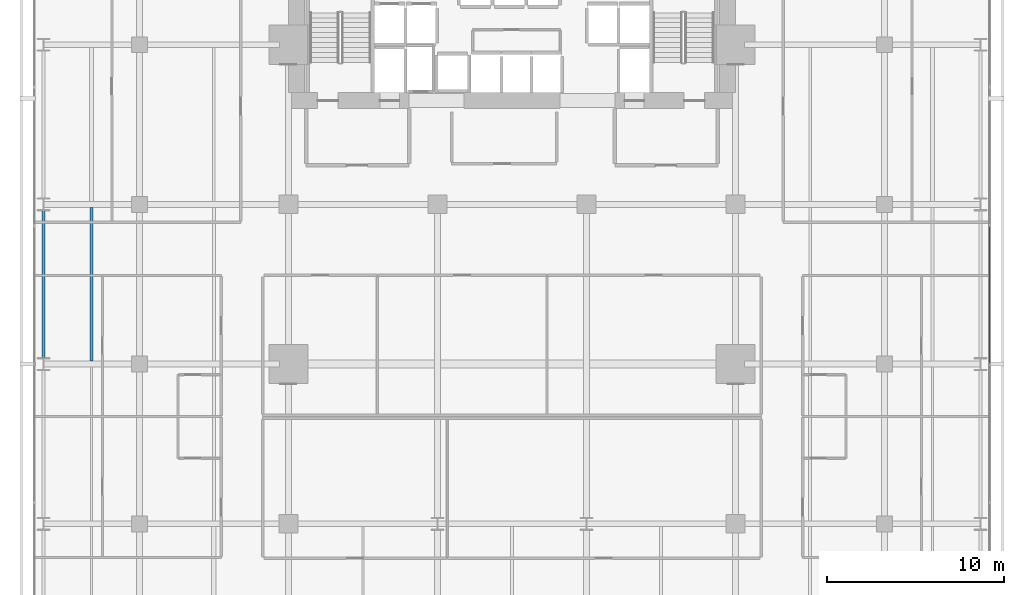
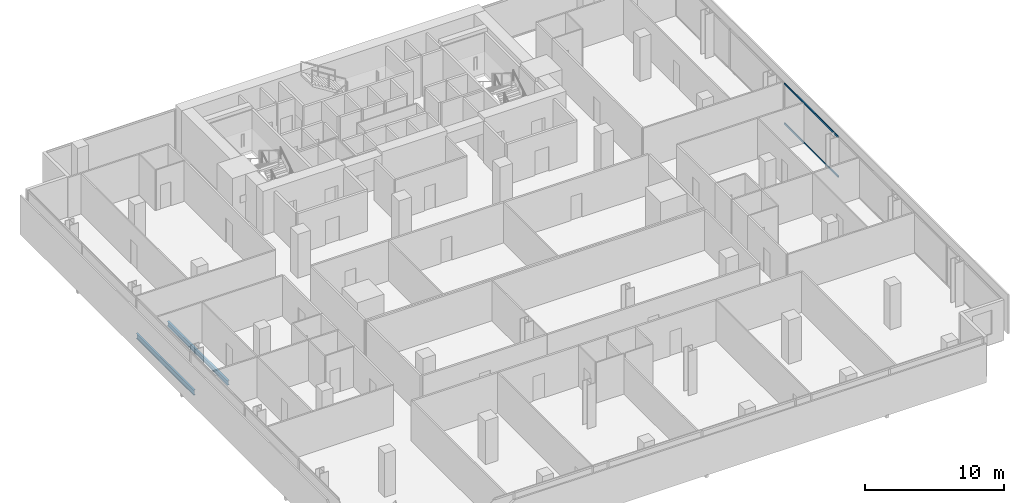
# One storey, part 20 of 39: 2 beams, 2 members, 1 element without a shape of its own.
"""IFC4 building model written with IfcOpenShell, lengths in metres."""

from ifc_helpers import new_model, si_unit, direction, frame, origin, origin_2d, place, context, subcontext, project, spatial, hollow_rectangle, i_section, extrude, material, layer, layer_set, material_profile, profile_set, type_object, element, aggregate, save


model = new_model("IFC4")

# Units and contexts
model_context = context("Model", 3, precision=1e-05, world=origin(), true_north=direction((0.0, 1.0)))
body_context = subcontext(model_context, "Body", "Model", "MODEL_VIEW")
ifc_project = project(units=[si_unit("LENGTHUNIT", "METRE"), si_unit("AREAUNIT", "SQUARE_METRE"), si_unit("VOLUMEUNIT", "CUBIC_METRE"), si_unit("PLANEANGLEUNIT", "RADIAN"), si_unit("MASSUNIT", "GRAM", prefix="KILO")], contexts=[model_context])

# Site, building, storey
site_placement = place(None, origin())
site = spatial("IfcSite", under=ifc_project, at=site_placement, CompositionType="ELEMENT")
building_placement = place(site_placement, origin())
building = spatial("IfcBuilding", under=site, at=building_placement, Name="Maruvema Waterfront Hotel and Observation Tower", CompositionType="ELEMENT")
storey_placement = place(building_placement, frame((0.0, 0.0, 111.64990234375)))
storey = spatial("IfcBuildingStorey", under=building, at=storey_placement, Name="L27", CompositionType="ELEMENT", Elevation=111.64990234375)

# Curtain wall, members
ifc_material_1 = material(Name="Anodised bronze aluminium and solar-control low-E IGU", Category="aluminium")
ifc_layer = layer(ifc_material_1, 0.159912109375, Name="Zone 1 Bronze Inner Thermal Curtain Wall System CW-02")
ifc_layer_set = layer_set([ifc_layer], Name="Anodised bronze aluminium and solar-control low-E IGU")
curtain_wall_type = type_object("IfcCurtainWallType", Name="Zone 1 Bronze Inner Thermal Curtain Wall System CW-02", PredefinedType="USERDEFINED", material=ifc_layer_set)
curtain_wall_placement = place(storey_placement, origin())
curtain_wall = element("IfcCurtainWall", 1, at=curtain_wall_placement, inside=storey, type_object=curtain_wall_type, Name="L27 Curtain Wall CW-L27-E", ObjectType="UNITISED CURTAIN WALL", PredefinedType="USERDEFINED")
ifc_material_2 = material(Name="Anodised architectural bronze aluminium", Category="aluminium")
ifc_material_profile_1 = material_profile(ifc_material_2, hollow_rectangle(XDim=0.070068359375, YDim=0.14990234375, WallThickness=0.00390625, at=origin_2d()), Name="ALU-T70x150")
ifc_profile_set_1 = profile_set([ifc_material_profile_1], Name="Anodised architectural bronze aluminium")
member_type = type_object("IfcMemberType", Name="Curtain Wall Horizontal Transom ALU-T70x150", PredefinedType="USERDEFINED", material=ifc_profile_set_1)
member_1_placement = place(storey_placement, frame((64.719970703125, 27.030029296875, 0.030029296875), z_axis=(0.0, 1.0, 0.0), x_axis=(-1.0, 0.0, 0.0)))
member_1 = element("IfcMember", 2, at=member_1_placement, type_object=member_type, Name="CW-02 transom 4.1", ObjectType="TRANSOM", PredefinedType="USERDEFINED", context=body_context, shape_type="SweptSolid", body=[
    extrude(hollow_rectangle(XDim=0.070068359375, YDim=0.14990234375, WallThickness=0.00390625, at=origin_2d()), origin(), (0.0, 0.0, 1.0), 7.739990234375),
])
member_2_placement = place(storey_placement, frame((64.719970703125, 27.030029296875, 3.52001953125), z_axis=(0.0, 1.0, 0.0), x_axis=(-1.0, 0.0, 0.0)))
member_2 = element("IfcMember", 3, at=member_2_placement, type_object=member_type, Name="CW-02 transom 4.2", ObjectType="TRANSOM", PredefinedType="USERDEFINED", context=body_context, shape_type="SweptSolid", body=[
    extrude(hollow_rectangle(XDim=0.070068359375, YDim=0.14990234375, WallThickness=0.00390625, at=origin_2d()), origin(), (0.0, 0.0, 1.0), 7.739990234375),
])
aggregate(curtain_wall, [member_1, member_2])

# Beams
ifc_material_3 = material(Name="Steel ASTM A572 Grade 50", Category="steel")
ifc_material_profile_2 = material_profile(ifc_material_3, i_section(OverallWidth=0.153076171875, OverallDepth=0.455078125, WebThickness=0.008056640625, FlangeThickness=0.01318359375, FilletRadius=0.014892578125, at=origin_2d()), Name="W460x60.0")
ifc_profile_set_2 = profile_set([ifc_material_profile_2], Name="Steel ASTM A572 Grade 50")
beam_type_1 = type_object("IfcBeamType", Name="Perimeter Spandrel Beam W460x60.0", PredefinedType="SPANDREL", material=ifc_profile_set_2)
beam_1_placement = place(storey_placement, frame((11.39990234375, 27.35009765625, -0.46728515625), z_axis=(0.0, 1.0, 0.0), x_axis=(-1.0, 0.0, 0.0)))
element("IfcBeam", 4, at=beam_1_placement, inside=storey, type_object=beam_type_1, Name="L27 Floor Girder NS-03", PredefinedType="SPANDREL", context=body_context, shape_type="SweptSolid", body=[
    extrude(i_section(OverallWidth=0.153076171875, OverallDepth=0.455078125, WebThickness=0.008056640625, FlangeThickness=0.01318359375, FilletRadius=0.014892578125, at=origin_2d()), origin(), (0.0, 0.0, 1.0), 8.2998046875),
])
ifc_material_4 = material(Name="Steel ASTM A572 Grade 50", Category="steel")
ifc_material_profile_3 = material_profile(ifc_material_4, i_section(OverallWidth=0.177001953125, OverallDepth=0.403076171875, WebThickness=0.007568359375, FlangeThickness=0.010986328125, FilletRadius=0.014892578125, at=origin_2d()), Name="W410x53.0")
ifc_profile_set_3 = profile_set([ifc_material_profile_3], Name="Steel ASTM A572 Grade 50")
beam_type_2 = type_object("IfcBeamType", Name="Secondary Floor Joist W410x53.0", PredefinedType="JOIST", material=ifc_profile_set_3)
beam_2_placement = place(storey_placement, frame((14.10009765625, 27.162109375, -0.44140625), z_axis=(0.0, 1.0, 0.0), x_axis=(-1.0, 0.0, 0.0)))
element("IfcBeam", 5, at=beam_2_placement, inside=storey, type_object=beam_type_2, Name="L27 Secondary Floor Joist JS-03", PredefinedType="JOIST", context=body_context, shape_type="SweptSolid", body=[
    extrude(i_section(OverallWidth=0.177001953125, OverallDepth=0.403076171875, WebThickness=0.007568359375, FlangeThickness=0.010986328125, FilletRadius=0.014892578125, at=origin_2d()), origin(), (0.0, 0.0, 1.0), 8.67578125),
])

save(model, "model.ifc")
